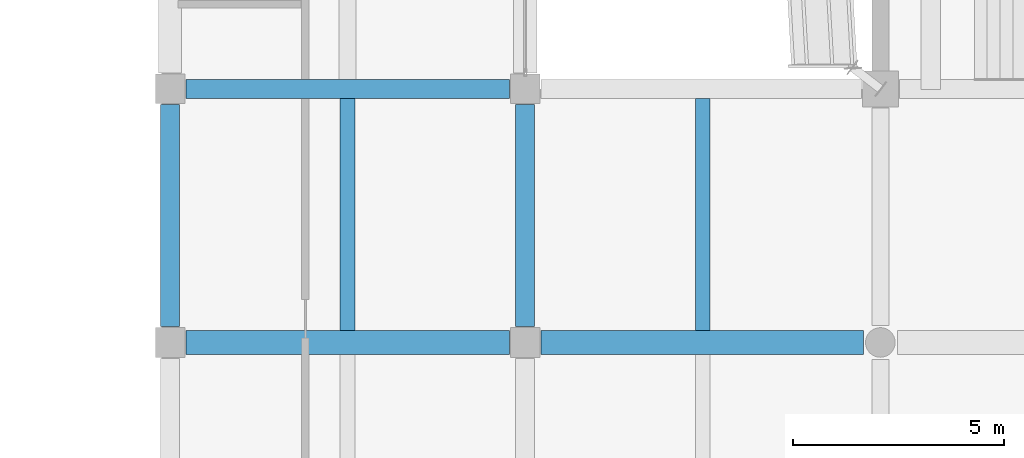
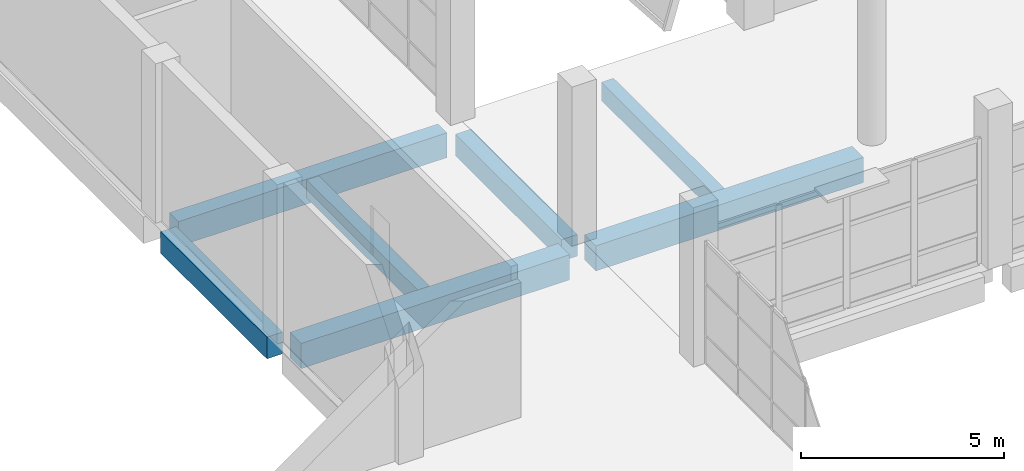
# One storey, part 16 of 91: 7 beams.
"""IFC4 building model written with IfcOpenShell, lengths in metres."""

from ifc_helpers import new_model, si_unit, direction, frame, origin, origin_2d, place, context, subcontext, project, spatial, rectangle, extrude, material, material_profile, profile_set, type_object, element, save


model = new_model("IFC4")

# Units and contexts
model_context = context("Model", 3, precision=1e-05, world=origin(), true_north=direction((0.0, 1.0)))
body_context = subcontext(model_context, "Body", "Model", "MODEL_VIEW")
ifc_project = project(units=[si_unit("LENGTHUNIT", "METRE"), si_unit("AREAUNIT", "SQUARE_METRE"), si_unit("VOLUMEUNIT", "CUBIC_METRE"), si_unit("PLANEANGLEUNIT", "RADIAN"), si_unit("MASSUNIT", "GRAM", prefix="KILO")], contexts=[model_context])

# Site, building, storey
site_placement = place(None, origin())
site = spatial("IfcSite", under=ifc_project, at=site_placement, CompositionType="ELEMENT")
building_placement = place(site_placement, origin())
building = spatial("IfcBuilding", under=site, at=building_placement, Name="Pellamere Symphony Hall", CompositionType="ELEMENT")
storey_placement = place(building_placement, frame((0.0, 0.0, 5.39990234375)))
storey = spatial("IfcBuildingStorey", under=building, at=storey_placement, Name="L01", CompositionType="ELEMENT", Elevation=5.39990234375)

# Beams
ifc_material_1 = material(Name="Concrete 40 MPa", Category="concrete")
ifc_material_profile_1 = material_profile(ifc_material_1, rectangle(XDim=0.449951171875, YDim=0.64990234375, at=origin_2d()), Name="RC 450x650")
ifc_profile_set_1 = profile_set([ifc_material_profile_1], Name="Concrete 40 MPa")
beam_type_1 = type_object("IfcBeamType", Name="RC CB-08 450x650", PredefinedType="BEAM", material=ifc_profile_set_1)
for number, where, z_axis, x_axis, name in (
    (1, (33.60009765625, 24.375, -0.60498046875), (0.0, 1.0, 0.0), (-1.0, 0.0, 0.0), "Girder CB-08-Y0737 (L01)"),
    (2, (42.0, 24.375, -0.60498046875), (0.0, 1.0, 0.0), (-1.0, 0.0, 0.0), "Girder CB-08-Y0743 (L01)"),
):
    element("IfcBeam", number, at=place(storey_placement, frame(where, z_axis=z_axis, x_axis=x_axis)), inside=storey, type_object=beam_type_1, Name=name, PredefinedType="BEAM", context=body_context, shape_type="SweptSolid", body=[
        extrude(rectangle(XDim=0.449951171875, YDim=0.64990234375, at=origin_2d()), origin(), (0.0, 0.0, 1.0), 5.25),
    ])
ifc_material_2 = material(Name="Concrete 35 MPa", Category="concrete")
ifc_material_profile_2 = material_profile(ifc_material_2, rectangle(XDim=0.35009765625, YDim=0.550048828125, at=origin_2d()), Name="RC 350x550")
ifc_profile_set_2 = profile_set([ifc_material_profile_2], Name="Concrete 35 MPa")
beam_type_2 = type_object("IfcBeamType", Name="RC CB-10 350x550", PredefinedType="BEAM", material=ifc_profile_set_2)
for number, where, z_axis, x_axis, name in (
    (3, (37.800048828125, 24.280029296875, -0.56982421875), (0.0, 1.0, 0.0), (-1.0, 0.0, 0.0), "Secondary Floor Beam CB-10-M0403 (L01)"),
    (4, (46.199951171875, 24.280029296875, -0.56982421875), (0.0, 1.0, 0.0), (-1.0, 0.0, 0.0), "Secondary Floor Beam CB-10-M0503 (L01)"),
):
    element("IfcBeam", number, at=place(storey_placement, frame(where, z_axis=z_axis, x_axis=x_axis)), inside=storey, type_object=beam_type_2, Name=name, PredefinedType="BEAM", context=body_context, shape_type="SweptSolid", body=[
        extrude(rectangle(XDim=0.35009765625, YDim=0.550048828125, at=origin_2d()), origin(), (0.0, 0.0, 1.0), 5.494873046875),
    ])
ifc_material_profile_3 = material_profile(ifc_material_1, rectangle(XDim=0.449951171875, YDim=0.75, at=origin_2d()), Name="RC 450x750")
ifc_profile_set_3 = profile_set([ifc_material_profile_3], Name="Concrete 40 MPa")
beam_type_3 = type_object("IfcBeamType", Name="RC CB-12 450x750", PredefinedType="SPANDREL", material=ifc_profile_set_3)
beam_1_placement = place(storey_placement, frame((33.97509765625, 30.0, -0.65478515625), z_axis=(1.0, 0.0, 0.0), x_axis=(0.0, 1.0, 0.0)))
element("IfcBeam", 5, at=beam_1_placement, inside=storey, type_object=beam_type_3, Name="Girder CB-12-X0578 (L01)", PredefinedType="SPANDREL", context=body_context, shape_type="SweptSolid", body=[
    extrude(rectangle(XDim=0.449951171875, YDim=0.75, at=origin_2d()), origin(), (0.0, 0.0, 1.0), 7.64990234375),
])
ifc_material_profile_4 = material_profile(ifc_material_1, rectangle(XDim=0.56005859375, YDim=0.760009765625, at=origin_2d()), Name="RC 560x760")
ifc_profile_set_4 = profile_set([ifc_material_profile_4], Name="Concrete 40 MPa")
beam_type_4 = type_object("IfcBeamType", Name="RC CB-18 560x760", PredefinedType="BEAM", material=ifc_profile_set_4)
beam_2_placement = place(storey_placement, frame((33.97509765625, 24.0, -0.659912109375), z_axis=(1.0, 0.0, 0.0), x_axis=(0.0, 1.0, 0.0)))
element("IfcBeam", 6, at=beam_2_placement, inside=storey, type_object=beam_type_4, Name="Girder CB-18-X0563 (L01)", PredefinedType="BEAM", context=body_context, shape_type="SweptSolid", body=[
    extrude(rectangle(XDim=0.56005859375, YDim=0.760009765625, at=origin_2d()), origin(), (0.0, 0.0, 1.0), 7.64990234375),
])
beam_3_placement = place(storey_placement, frame((42.375, 24.0, -0.659912109375), z_axis=(1.0, 0.0, 0.0), x_axis=(0.0, 1.0, 0.0)))
element("IfcBeam", 7, at=beam_3_placement, inside=storey, type_object=beam_type_4, Name="Girder CB-18-X0564 (L01)", PredefinedType="BEAM", context=body_context, shape_type="SweptSolid", body=[
    extrude(rectangle(XDim=0.56005859375, YDim=0.760009765625, at=origin_2d()), origin(), (0.0, 0.0, 1.0), 7.625),
])

save(model, "model.ifc")
